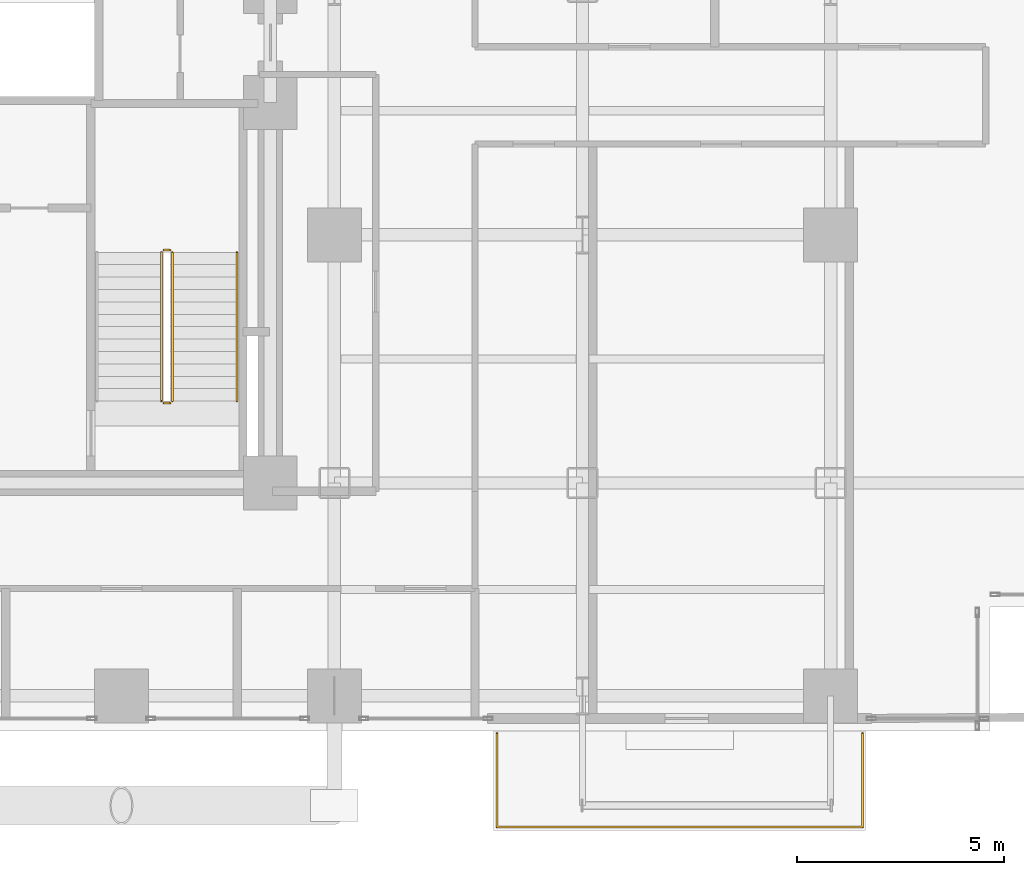
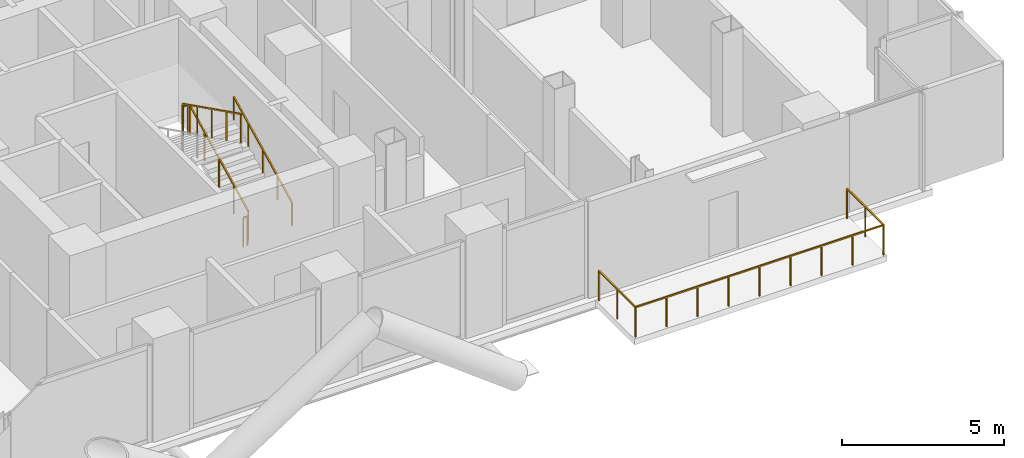
# One storey, part 26 of 27: 6 railings.
"""IFC4 building model written with IfcOpenShell, lengths in metres."""

from ifc_helpers import new_model, si_unit, direction, frame, origin, origin_2d, place, context, subcontext, project, spatial, rectangle, extrude, material, type_object, element, save


model = new_model("IFC4")

# Units and contexts
model_context = context("Model", 3, precision=1e-05, world=origin(), true_north=direction((0.0, 1.0)))
body_context = subcontext(model_context, "Body", "Model", "MODEL_VIEW")
ifc_project = project(units=[si_unit("LENGTHUNIT", "METRE"), si_unit("AREAUNIT", "SQUARE_METRE"), si_unit("VOLUMEUNIT", "CUBIC_METRE"), si_unit("PLANEANGLEUNIT", "RADIAN"), si_unit("MASSUNIT", "GRAM", prefix="KILO"), si_unit("THERMODYNAMICTEMPERATUREUNIT", "KELVIN"), si_unit("POWERUNIT", "WATT")], contexts=[model_context])

# Site, building, storey
site_placement = place(None, origin())
site = spatial("IfcSite", under=ifc_project, at=site_placement, CompositionType="ELEMENT")
building_placement = place(site_placement, origin())
building = spatial("IfcBuilding", under=site, at=building_placement, Name="Svarakhadi Broadcast Tower", CompositionType="ELEMENT")
storey_placement = place(building_placement, frame((0.0, 0.0, 75.300048828125)))
storey = spatial("IfcBuildingStorey", under=building, at=storey_placement, Name="L17", CompositionType="ELEMENT", Elevation=75.300048828125)

# Railings
ifc_material_1 = material(Name="Laminated Structural SentryGlas Balustrade 25.5 mm", Category="glass")
railing_type_1 = type_object("IfcRailingType", Name="Guard_Balcony_GR01", PredefinedType="BALUSTRADE", material=ifc_material_1)
railing_1_placement = place(storey_placement, frame((39.080078125, -0.06005859375, 0.0)))
element("IfcRailing", 1, at=railing_1_placement, inside=storey, type_object=railing_type_1, Name="L17 South Tree Balcony Guard GR-05", PredefinedType="BALUSTRADE", context=body_context, shape_type="SweptSolid", body=[
    extrude(rectangle(XDim=0.048095703125, YDim=0.048095703125, at=origin_2d()), frame((0.0, 0.0, 1.1259765625), z_axis=(0.0, -1.0, 0.0), x_axis=(1.0, 0.0, 0.0)), (0.0, 0.0, 1.0), 2.260009765625),
    extrude(rectangle(XDim=0.048095703125, YDim=0.048095703125, at=origin_2d()), frame((0.0, -2.260009765625, 1.1259765625), z_axis=(1.0, 0.0, 0.0), x_axis=(0.0, 1.0, 0.0)), (0.0, 0.0, 1.0), 8.83984375),
    extrude(rectangle(XDim=0.048095703125, YDim=0.048095703125, at=origin_2d()), frame((8.83984375, -2.260009765625, 1.1259765625), z_axis=(0.0, 1.0, 0.0), x_axis=(-1.0, 0.0, 0.0)), (0.0, 0.0, 1.0), 2.260009765625),
    extrude(rectangle(XDim=0.0419921875, YDim=0.0419921875, at=origin_2d()), origin(), (0.0, 0.0, 1.0), 1.101806640625),
    extrude(rectangle(XDim=0.0419921875, YDim=0.0419921875, at=origin_2d()), frame((0.0, -1.1298828125, 0.0)), (0.0, 0.0, 1.0), 1.101806640625),
    extrude(rectangle(XDim=0.0419921875, YDim=0.0419921875, at=origin_2d()), frame((0.0, -2.260009765625, 0.0)), (0.0, 0.0, 1.0), 1.101806640625),
    extrude(rectangle(XDim=0.0419921875, YDim=0.0419921875, at=origin_2d()), frame((1.10498046875, -2.260009765625, 0.0)), (0.0, 0.0, 1.0), 1.101806640625),
    extrude(rectangle(XDim=0.0419921875, YDim=0.0419921875, at=origin_2d()), frame((2.2099609375, -2.260009765625, 0.0)), (0.0, 0.0, 1.0), 1.101806640625),
    extrude(rectangle(XDim=0.0419921875, YDim=0.0419921875, at=origin_2d()), frame((3.31494140625, -2.260009765625, 0.0)), (0.0, 0.0, 1.0), 1.101806640625),
    extrude(rectangle(XDim=0.0419921875, YDim=0.0419921875, at=origin_2d()), frame((4.419921875, -2.260009765625, 0.0)), (0.0, 0.0, 1.0), 1.101806640625),
    extrude(rectangle(XDim=0.0419921875, YDim=0.0419921875, at=origin_2d()), frame((5.52490234375, -2.260009765625, 0.0)), (0.0, 0.0, 1.0), 1.101806640625),
    extrude(rectangle(XDim=0.0419921875, YDim=0.0419921875, at=origin_2d()), frame((6.6298828125, -2.260009765625, 0.0)), (0.0, 0.0, 1.0), 1.101806640625),
    extrude(rectangle(XDim=0.0419921875, YDim=0.0419921875, at=origin_2d()), frame((7.73486328125, -2.260009765625, 0.0)), (0.0, 0.0, 1.0), 1.101806640625),
    extrude(rectangle(XDim=0.0419921875, YDim=0.0419921875, at=origin_2d()), frame((8.83984375, -2.260009765625, 0.0)), (0.0, 0.0, 1.0), 1.101806640625),
    extrude(rectangle(XDim=0.0419921875, YDim=0.0419921875, at=origin_2d()), frame((8.83984375, -1.1298828125, 0.0)), (0.0, 0.0, 1.0), 1.101806640625),
    extrude(rectangle(XDim=0.0419921875, YDim=0.0419921875, at=origin_2d()), frame((8.83984375, 0.0, 0.0)), (0.0, 0.0, 1.0), 1.101806640625),
])
ifc_material_2 = material(Name="Anodised Bronze Aluminium AA 6063-T6", Category="aluminium")
railing_type_2 = type_object("IfcRailingType", Name="Guard_Stair_GR01", PredefinedType="GUARDRAIL", material=ifc_material_2)
railing_2_placement = place(storey_placement, frame((31.22998046875, 7.97998046875, 0.14990234375)))
element("IfcRailing", 2, at=railing_2_placement, inside=storey, type_object=railing_type_2, Name="L17 ST-02 stair guard 1", PredefinedType="GUARDRAIL", context=body_context, shape_type="SweptSolid", body=[
    extrude(rectangle(XDim=0.048095703125, YDim=0.048095703125, at=origin_2d()), frame((0.0, 0.0, 1.09619140625), z_axis=(0.0, 0.894427191, 0.4472135955), x_axis=(-1.0, 0.0, 0.0)), (0.0, 0.0, 1.0), 4.025146484375),
    extrude(rectangle(XDim=0.0419921875, YDim=0.0419921875, at=origin_2d()), origin(), (0.0, 0.0, 1.0), 1.072021484375),
    extrude(rectangle(XDim=0.0419921875, YDim=0.0419921875, at=origin_2d()), frame((0.0, 0.89990234375, 0.449951171875)), (0.0, 0.0, 1.0), 1.072021484375),
    extrude(rectangle(XDim=0.0419921875, YDim=0.0419921875, at=origin_2d()), frame((0.0, 1.800048828125, 0.89990234375)), (0.0, 0.0, 1.0), 1.072021484375),
    extrude(rectangle(XDim=0.0419921875, YDim=0.0419921875, at=origin_2d()), frame((0.0, 2.7001953125, 1.35009765625)), (0.0, 0.0, 1.0), 1.072021484375),
    extrude(rectangle(XDim=0.0419921875, YDim=0.0419921875, at=origin_2d()), frame((0.0, 3.60009765625, 1.800048828125)), (0.0, 0.0, 1.0), 1.072021484375),
])
railing_3_placement = place(storey_placement, frame((31.179931640625, 11.6298828125, 1.949951171875)))
element("IfcRailing", 3, at=railing_3_placement, inside=storey, type_object=railing_type_2, Name="L17 ST-02 stair guard 2", PredefinedType="GUARDRAIL", context=body_context, shape_type="SweptSolid", body=[
    extrude(rectangle(XDim=0.048095703125, YDim=0.048095703125, at=origin_2d()), frame((0.0, 0.0, 1.09619140625), z_axis=(-1.0, 0.0, 0.0), x_axis=(0.0, -1.0, 0.0)), (0.0, 0.0, 1.0), 0.159912109375),
    extrude(rectangle(XDim=0.0419921875, YDim=0.0419921875, at=origin_2d()), origin(), (0.0, 0.0, 1.0), 1.072021484375),
    extrude(rectangle(XDim=0.0419921875, YDim=0.0419921875, at=origin_2d()), frame((-0.159912109375, 0.0, 0.0)), (0.0, 0.0, 1.0), 1.072021484375),
])
railing_4_placement = place(storey_placement, frame((30.969970703125, 11.580078125, 2.099853515625)))
element("IfcRailing", 4, at=railing_4_placement, inside=storey, type_object=railing_type_2, Name="L17 ST-02 stair guard 3", PredefinedType="GUARDRAIL", context=body_context, shape_type="SweptSolid", body=[
    extrude(rectangle(XDim=0.048095703125, YDim=0.048095703125, at=origin_2d()), frame((0.0, 0.0, 1.09619140625), z_axis=(0.0, -0.894427191, 0.4472135955), x_axis=(1.0, 0.0, 0.0)), (0.0, 0.0, 1.0), 4.025146484375),
    extrude(rectangle(XDim=0.0419921875, YDim=0.0419921875, at=origin_2d()), origin(), (0.0, 0.0, 1.0), 1.072021484375),
    extrude(rectangle(XDim=0.0419921875, YDim=0.0419921875, at=origin_2d()), frame((0.0, -0.89990234375, 0.449951171875)), (0.0, 0.0, 1.0), 1.072021484375),
    extrude(rectangle(XDim=0.0419921875, YDim=0.0419921875, at=origin_2d()), frame((0.0, -1.800048828125, 0.89990234375)), (0.0, 0.0, 1.0), 1.072021484375),
    extrude(rectangle(XDim=0.0419921875, YDim=0.0419921875, at=origin_2d()), frame((0.0, -2.7001953125, 1.35009765625)), (0.0, 0.0, 1.0), 1.072021484375),
    extrude(rectangle(XDim=0.0419921875, YDim=0.0419921875, at=origin_2d()), frame((0.0, -3.60009765625, 1.800048828125)), (0.0, 0.0, 1.0), 1.072021484375),
])
railing_5_placement = place(storey_placement, frame((31.179931640625, 7.929931640625, 0.0)))
element("IfcRailing", 5, at=railing_5_placement, inside=storey, type_object=railing_type_2, Name="L17 ST-02 stair guard 4", PredefinedType="GUARDRAIL", context=body_context, shape_type="SweptSolid", body=[
    extrude(rectangle(XDim=0.048095703125, YDim=0.048095703125, at=origin_2d()), frame((0.0, 0.0, 1.09619140625), z_axis=(-1.0, 0.0, 0.0), x_axis=(0.0, -1.0, 0.0)), (0.0, 0.0, 1.0), 0.159912109375),
    extrude(rectangle(XDim=0.0419921875, YDim=0.0419921875, at=origin_2d()), origin(), (0.0, 0.0, 1.0), 1.072021484375),
    extrude(rectangle(XDim=0.0419921875, YDim=0.0419921875, at=origin_2d()), frame((-0.159912109375, 0.0, 0.0)), (0.0, 0.0, 1.0), 1.072021484375),
])
railing_type_3 = type_object("IfcRailingType", Name="Handrail_Stair_HR01", PredefinedType="HANDRAIL", material=ifc_material_2)
railing_6_placement = place(storey_placement, frame((32.7900390625, 7.97998046875, 0.14990234375)))
element("IfcRailing", 6, at=railing_6_placement, inside=storey, type_object=railing_type_3, Name="L17 ST-02 stair handrail 1", PredefinedType="HANDRAIL", context=body_context, shape_type="SweptSolid", body=[
    extrude(rectangle(XDim=0.048095703125, YDim=0.048095703125, at=origin_2d()), frame((0.0, 0.0, 0.8759765625), z_axis=(0.0, 0.894427191, 0.4472135955), x_axis=(-1.0, 0.0, 0.0)), (0.0, 0.0, 1.0), 4.025146484375),
    extrude(rectangle(XDim=0.0419921875, YDim=0.0419921875, at=origin_2d()), origin(), (0.0, 0.0, 1.0), 0.851806640625),
    extrude(rectangle(XDim=0.0419921875, YDim=0.0419921875, at=origin_2d()), frame((0.0, 0.89990234375, 0.449951171875)), (0.0, 0.0, 1.0), 0.851806640625),
    extrude(rectangle(XDim=0.0419921875, YDim=0.0419921875, at=origin_2d()), frame((0.0, 1.800048828125, 0.89990234375)), (0.0, 0.0, 1.0), 0.851806640625),
    extrude(rectangle(XDim=0.0419921875, YDim=0.0419921875, at=origin_2d()), frame((0.0, 2.7001953125, 1.35009765625)), (0.0, 0.0, 1.0), 0.851806640625),
    extrude(rectangle(XDim=0.0419921875, YDim=0.0419921875, at=origin_2d()), frame((0.0, 3.60009765625, 1.800048828125)), (0.0, 0.0, 1.0), 0.851806640625),
])

save(model, "model.ifc")
